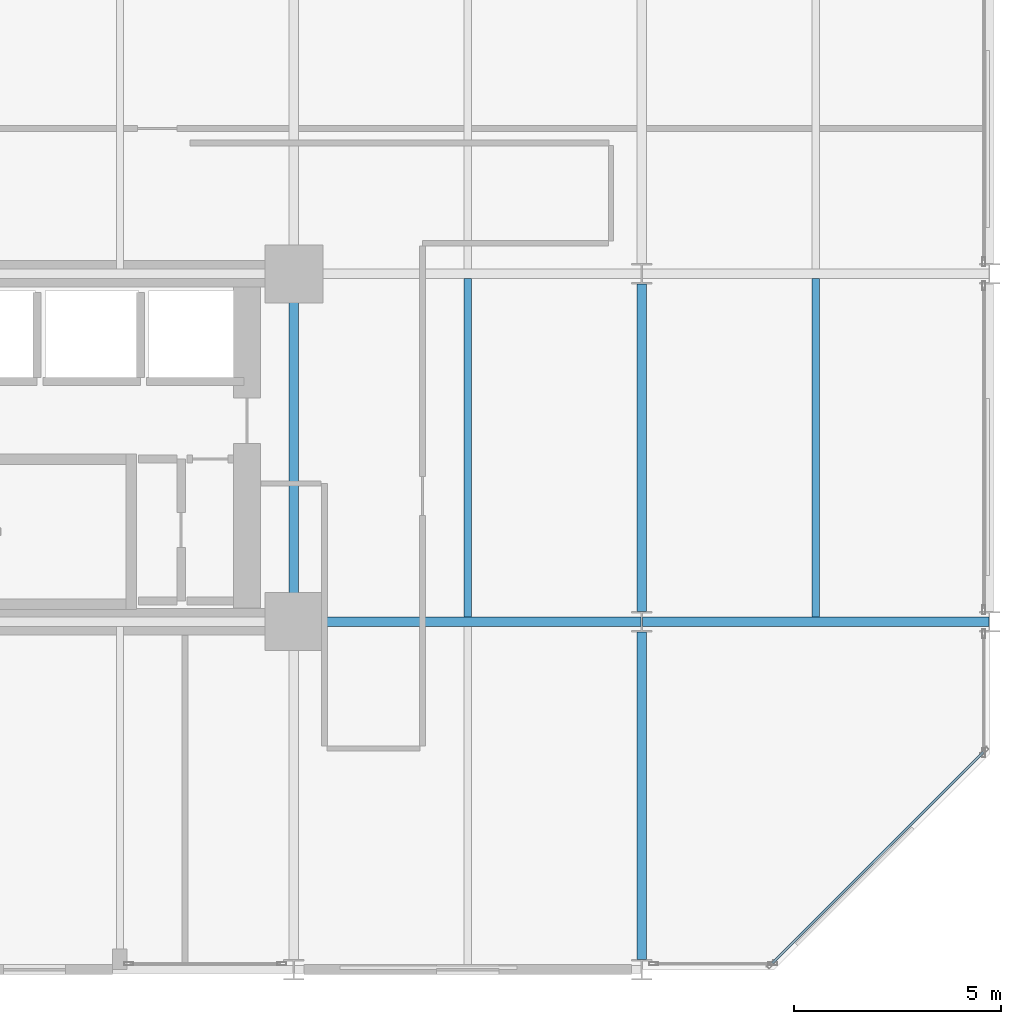
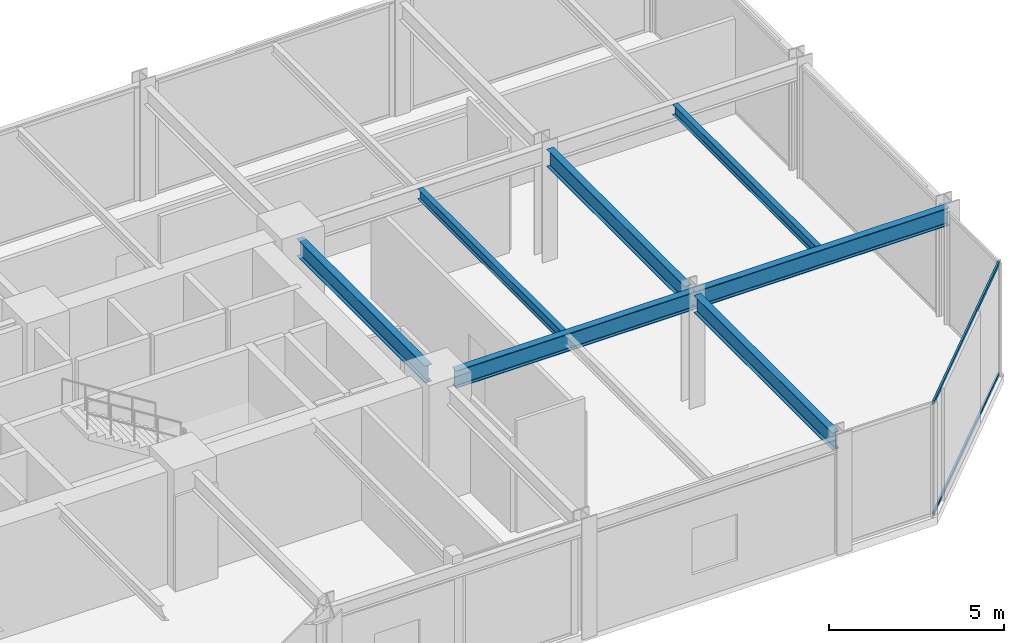
# One storey, part 10 of 24: 7 beams, 2 members, 1 element without a shape of its own.
"""IFC4 building model written with IfcOpenShell, lengths in metres."""

from ifc_helpers import new_model, si_unit, direction, frame, origin, origin_2d, place, context, subcontext, project, spatial, hollow_rectangle, i_section, extrude, material, layer, layer_set, material_profile, profile_set, type_object, element, aggregate, save


model = new_model("IFC4")

# Units and contexts
model_context = context("Model", 3, precision=1e-05, world=origin(), true_north=direction((0.0, 1.0)))
body_context = subcontext(model_context, "Body", "Model", "MODEL_VIEW")
ifc_project = project(units=[si_unit("LENGTHUNIT", "METRE"), si_unit("AREAUNIT", "SQUARE_METRE"), si_unit("VOLUMEUNIT", "CUBIC_METRE"), si_unit("PLANEANGLEUNIT", "RADIAN"), si_unit("MASSUNIT", "GRAM", prefix="KILO")], contexts=[model_context])

# Site, building, storey
site_placement = place(None, origin())
site = spatial("IfcSite", under=ifc_project, at=site_placement, CompositionType="ELEMENT")
building_placement = place(site_placement, origin())
building = spatial("IfcBuilding", under=site, at=building_placement, Name="Nerrivon Quay Data Exchange", CompositionType="ELEMENT")
storey_placement = place(building_placement, frame((0.0, 0.0, 50.0)))
storey = spatial("IfcBuildingStorey", under=building, at=storey_placement, Name="L11", CompositionType="ELEMENT", Elevation=50.0)

# Beams
ifc_material_1 = material(Name="Steel Grade 350", Category="steel")
ifc_material_profile_1 = material_profile(ifc_material_1, i_section(OverallWidth=0.22900390625, OverallDepth=0.612060546875, WebThickness=0.011962890625, FlangeThickness=0.01953125, FilletRadius=0.013916015625, at=origin_2d()), Name="610UB125")
ifc_profile_set_1 = profile_set([ifc_material_profile_1], Name="Steel Grade 350")
beam_type_1 = type_object("IfcBeamType", Name="BM-G1-610UB125", PredefinedType="BEAM", material=ifc_profile_set_1)
beam_1_placement = place(storey_placement, frame((34.139892578125, 8.39990234375, 3.618896484375), z_axis=(1.0, 0.0, 0.0), x_axis=(0.0, 1.0, 0.0)))
element("IfcBeam", 1, at=beam_1_placement, inside=storey, type_object=beam_type_1, Name="L11 EW Girder Y=8.4 (33.6..42.0)", PredefinedType="BEAM", context=body_context, shape_type="SweptSolid", body=[
    extrude(i_section(OverallWidth=0.22900390625, OverallDepth=0.612060546875, WebThickness=0.011962890625, FlangeThickness=0.01953125, FilletRadius=0.013916015625, at=origin_2d()), origin(), (0.0, 0.0, 1.0), 7.84619140625),
])
beam_2_placement = place(storey_placement, frame((42.013916015625, 8.39990234375, 3.618896484375), z_axis=(1.0, 0.0, 0.0), x_axis=(0.0, 1.0, 0.0)))
element("IfcBeam", 2, at=beam_2_placement, inside=storey, type_object=beam_type_1, Name="L11 EW Girder Y=8.4 (42.0..50.4)", PredefinedType="BEAM", context=body_context, shape_type="SweptSolid", body=[
    extrude(i_section(OverallWidth=0.22900390625, OverallDepth=0.612060546875, WebThickness=0.011962890625, FlangeThickness=0.01953125, FilletRadius=0.013916015625, at=origin_2d()), origin(), (0.0, 0.0, 1.0), 8.3720703125),
])
ifc_material_profile_2 = material_profile(ifc_material_1, i_section(OverallWidth=0.22802734375, OverallDepth=0.60205078125, WebThickness=0.010498046875, FlangeThickness=0.014892578125, FilletRadius=0.013916015625, at=origin_2d()), Name="610UB101")
ifc_profile_set_2 = profile_set([ifc_material_profile_2], Name="Steel Grade 350")
beam_type_2 = type_object("IfcBeamType", Name="BM-G2-610UB101", PredefinedType="BEAM", material=ifc_profile_set_2)
beam_3_placement = place(storey_placement, frame((33.60009765625, 8.93994140625, 3.6240234375), z_axis=(0.0, 1.0, 0.0), x_axis=(-1.0, 0.0, 0.0)))
element("IfcBeam", 3, at=beam_3_placement, inside=storey, type_object=beam_type_2, Name="L11 NS Girder X=33.6 (8.4..16.8)", PredefinedType="BEAM", context=body_context, shape_type="SweptSolid", body=[
    extrude(i_section(OverallWidth=0.22802734375, OverallDepth=0.60205078125, WebThickness=0.010498046875, FlangeThickness=0.014892578125, FilletRadius=0.013916015625, at=origin_2d()), origin(), (0.0, 0.0, 1.0), 7.320068359375),
])
beam_4_placement = place(storey_placement, frame((42.0, 0.25, 3.6240234375), z_axis=(0.0, 1.0, 0.0), x_axis=(-1.0, 0.0, 0.0)))
element("IfcBeam", 4, at=beam_4_placement, inside=storey, type_object=beam_type_2, Name="L11 NS Girder X=42.0 (0.0..8.4)", PredefinedType="BEAM", context=body_context, shape_type="SweptSolid", body=[
    extrude(i_section(OverallWidth=0.22802734375, OverallDepth=0.60205078125, WebThickness=0.010498046875, FlangeThickness=0.014892578125, FilletRadius=0.013916015625, at=origin_2d()), origin(), (0.0, 0.0, 1.0), 7.89990234375),
])
beam_5_placement = place(storey_placement, frame((42.0, 8.64990234375, 3.6240234375), z_axis=(0.0, 1.0, 0.0), x_axis=(-1.0, 0.0, 0.0)))
element("IfcBeam", 5, at=beam_5_placement, inside=storey, type_object=beam_type_2, Name="L11 NS Girder X=42.0 (8.4..16.8)", PredefinedType="BEAM", context=body_context, shape_type="SweptSolid", body=[
    extrude(i_section(OverallWidth=0.22802734375, OverallDepth=0.60205078125, WebThickness=0.010498046875, FlangeThickness=0.014892578125, FilletRadius=0.013916015625, at=origin_2d()), origin(), (0.0, 0.0, 1.0), 7.900146484375),
])
ifc_material_profile_3 = material_profile(ifc_material_1, i_section(OverallWidth=0.172119140625, OverallDepth=0.35888671875, WebThickness=0.008056640625, FlangeThickness=0.012939453125, FilletRadius=0.011474609375, at=origin_2d()), Name="360UB56.7")
ifc_profile_set_3 = profile_set([ifc_material_profile_3], Name="Steel Grade 350")
beam_type_3 = type_object("IfcBeamType", Name="BM-J3-360UB57", PredefinedType="JOIST", material=ifc_profile_set_3)
for number, where, z_axis, x_axis, name in (
    (6, (37.800048828125, 8.514404296875, 3.74560546875), (0.0, 1.0, 0.0), (-1.0, 0.0, 0.0), "L11 Secondary Joist X=37.8 (8.4..16.8)"),
    (7, (46.199951171875, 8.514404296875, 3.74560546875), (0.0, 1.0, 0.0), (-1.0, 0.0, 0.0), "L11 Secondary Joist X=46.2 (8.4..16.8)"),
):
    element("IfcBeam", number, at=place(storey_placement, frame(where, z_axis=z_axis, x_axis=x_axis)), inside=storey, type_object=beam_type_3, Name=name, PredefinedType="JOIST", context=body_context, shape_type="SweptSolid", body=[
        extrude(i_section(OverallWidth=0.172119140625, OverallDepth=0.35888671875, WebThickness=0.008056640625, FlangeThickness=0.012939453125, FilletRadius=0.011474609375, at=origin_2d()), origin(), (0.0, 0.0, 1.0), 8.171142578125),
    ])

# Curtain wall, members
ifc_material_2 = material(Name="Anodised aluminium 6063-T6", Category="aluminium")
ifc_layer = layer(ifc_material_2, 0.219970703125)
ifc_layer_set = layer_set([ifc_layer], Name="Anodised aluminium 6063-T6")
curtain_wall_type = type_object("IfcCurtainWallType", Name="CW-SYS-01", PredefinedType="NOTDEFINED", material=ifc_layer_set)
curtain_wall_placement = place(storey_placement, origin())
curtain_wall = element("IfcCurtainWall", 8, at=curtain_wall_placement, inside=storey, type_object=curtain_wall_type, Name="L11 Unitised Curtain Wall 1", PredefinedType="NOTDEFINED")
ifc_material_profile_4 = material_profile(ifc_material_2, hollow_rectangle(XDim=0.06005859375, YDim=0.1201171875, WallThickness=0.003173828125, at=origin_2d()), Name="ALU-TRAN-120x60")
ifc_profile_set_4 = profile_set([ifc_material_profile_4], Name="Anodised aluminium 6063-T6")
member_type = type_object("IfcMemberType", Name="CWT-120x60", PredefinedType="USERDEFINED", material=ifc_profile_set_4)
member_1_placement = place(storey_placement, frame((50.248046875, 5.245849609375, 0.032470703125), z_axis=(-0.707123726196, -0.707089835771, 0.0), x_axis=(0.707089835771, -0.707123726196, 0.0)))
member_1 = element("IfcMember", 9, at=member_1_placement, type_object=member_type, Name="CW01 transom 1.1", ObjectType="TRANSOM", PredefinedType="USERDEFINED", context=body_context, shape_type="SweptSolid", body=[
    extrude(hollow_rectangle(XDim=0.06005859375, YDim=0.1201171875, WallThickness=0.003173828125, at=origin_2d()), origin(), (0.0, 0.0, 1.0), 7.203857421875),
])
member_2_placement = place(storey_placement, frame((50.248046875, 5.245849609375, 3.892578125), z_axis=(-0.707123726196, -0.707089835771, 0.0), x_axis=(0.707089835771, -0.707123726196, 0.0)))
member_2 = element("IfcMember", 10, at=member_2_placement, type_object=member_type, Name="CW01 transom 1.2", ObjectType="TRANSOM", PredefinedType="USERDEFINED", context=body_context, shape_type="SweptSolid", body=[
    extrude(hollow_rectangle(XDim=0.06005859375, YDim=0.1201171875, WallThickness=0.003173828125, at=origin_2d()), origin(), (0.0, 0.0, 1.0), 7.203857421875),
])
aggregate(curtain_wall, [member_1, member_2])

save(model, "model.ifc")
